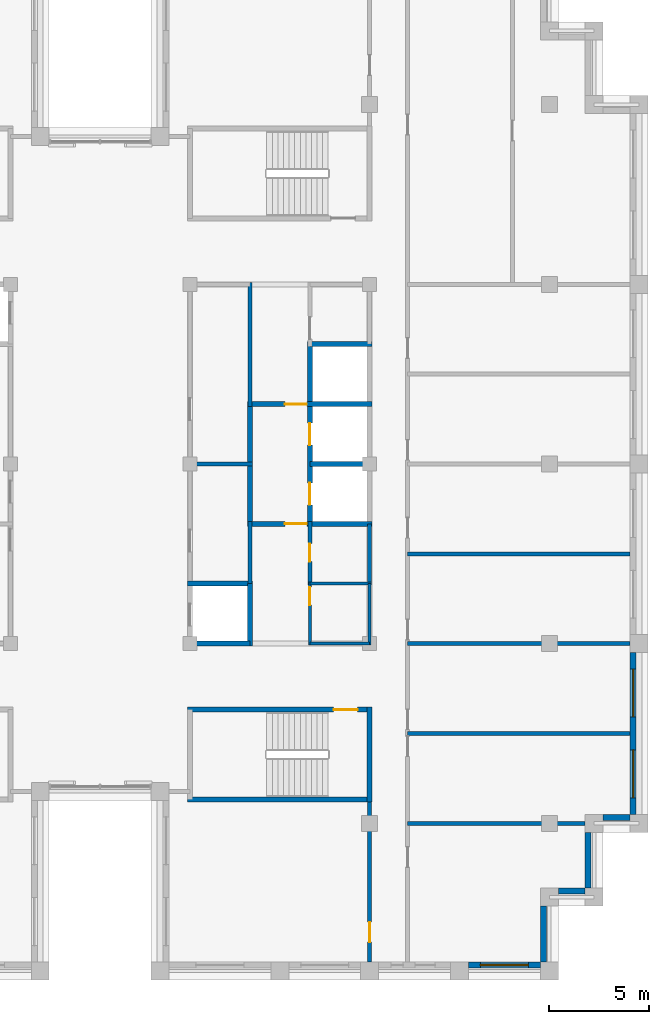
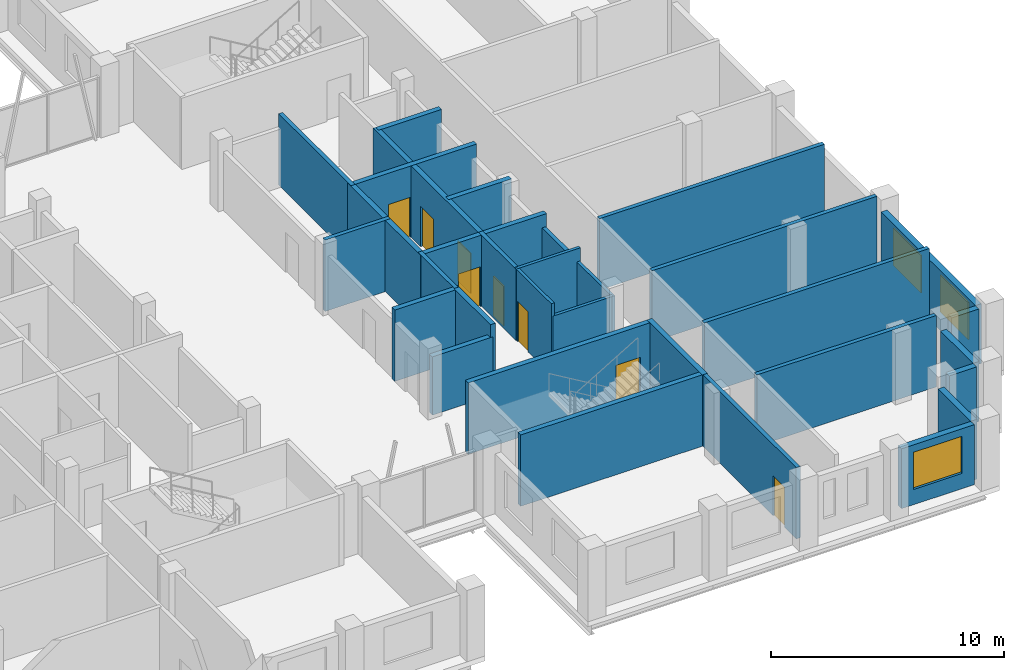
# One storey, part 8 of 13: 32 walls, 8 doors, 3 windows, 11 openings.
"""IFC4 building model written with IfcOpenShell, lengths in metres."""

import ifcopenshell
import ifcopenshell.guid

model = None  # the IFC model being written
_history = None  # IfcOwnerHistory: only IFC2X3 demands one
_inside = {}  # id of a spatial element -> (the spatial element, [elements in it])
_under = {}  # id of a project, library or spatial element -> (it, [spatial elements below it])
_declared = {}  # id of a project -> (the project, [libraries it declares])
_typed = {}  # id of a type object -> (the type object, [elements of that type])
_made_of = {}  # id of a material, layer set ... -> (it, [elements and type objects made of it])


def new_model(schema):
    """Start an empty IFC model of exactly this schema.

    Asked for "IFC4X3", IfcOpenShell would pick the latest addendum, in which some entities
    have other attributes; the version numbers below select the first issue.
    IFC2X3 requires an IfcOwnerHistory on every rooted entity: one is made here for all.
    """
    global model, _history
    if schema == "IFC4X3":
        model = ifcopenshell.file(schema_version=(4, 3, 0, 0))
    else:
        model = ifcopenshell.file(schema=schema)
    _inside.clear()
    _under.clear()
    _declared.clear()
    _typed.clear()
    _made_of.clear()
    _history = None
    if model.schema == "IFC2X3":
        org = make("IfcOrganization", Name="unknown")
        user = make(
            "IfcPersonAndOrganization",
            ThePerson=make("IfcPerson", FamilyName="unknown"),
            TheOrganization=org,
        )
        app = make(
            "IfcApplication",
            ApplicationDeveloper=org,
            Version="unknown",
            ApplicationFullName="unknown",
            ApplicationIdentifier="unknown",
        )
        _history = make(
            "IfcOwnerHistory",
            OwningUser=user,
            OwningApplication=app,
            ChangeAction="ADDED",
            CreationDate=0,
        )
    return model


def make(cls, **values):
    """One entity of the class cls with the attributes given. An attribute that is None is left unset."""
    return model.create_entity(
        cls, **{name: value for name, value in values.items() if value is not None}
    )


def rooted(cls, **values):
    """An entity with a GlobalId (a new one), such as an element, a storey or a relation."""
    return make(cls, GlobalId=ifcopenshell.guid.new(), OwnerHistory=_history, **values)


def si_unit(unit_type, name, prefix=None):
    """IfcSIUnit, for example si_unit("LENGTHUNIT", "METRE", prefix="MILLI")."""
    return make("IfcSIUnit", UnitType=unit_type, Prefix=prefix, Name=name)


def assignment(units):
    """IfcUnitAssignment: the units of a project."""
    return None if units is None else make("IfcUnitAssignment", Units=units)


def point(xyz):
    """IfcCartesianPoint."""
    return None if xyz is None else make("IfcCartesianPoint", Coordinates=xyz)


def direction(xyz):
    """IfcDirection."""
    return None if xyz is None else make("IfcDirection", DirectionRatios=xyz)


def frame(location, z_axis=None, x_axis=None):
    """IfcAxis2Placement3D, a coordinate frame: its origin and axes. An axis left out is left unset."""
    return make(
        "IfcAxis2Placement3D",
        Location=point(location),
        Axis=direction(z_axis),
        RefDirection=direction(x_axis),
    )


def frame_2d(location, x_axis=None):
    """IfcAxis2Placement2D, a coordinate frame in the plane: its origin and x axis."""
    return make(
        "IfcAxis2Placement2D", Location=point(location), RefDirection=direction(x_axis)
    )


def origin():
    """The frame at (0, 0, 0) with its axes left unset."""
    return frame((0.0, 0.0, 0.0))


def place(relative_to, where):
    """IfcLocalPlacement: puts the frame where relative to a parent placement (None: the world)."""
    return make(
        "IfcLocalPlacement", PlacementRelTo=relative_to, RelativePlacement=where
    )


def context(
    kind, dimensions, precision=None, world=None, true_north=None, identifier=None
):
    """IfcGeometricRepresentationContext, for example the 3D "Model" context."""
    return make(
        "IfcGeometricRepresentationContext",
        ContextIdentifier=identifier,
        ContextType=kind,
        CoordinateSpaceDimension=dimensions,
        Precision=precision,
        WorldCoordinateSystem=world,
        TrueNorth=true_north,
    )


def subcontext(parent, identifier, kind, view, scale=None):
    """IfcGeometricRepresentationSubContext, for example "Body" below "Model"."""
    return make(
        "IfcGeometricRepresentationSubContext",
        ContextIdentifier=identifier,
        ContextType=kind,
        ParentContext=parent,
        TargetScale=scale,
        TargetView=view,
    )


def project(units=None, contexts=None):
    """IfcProject with its units and contexts."""
    return rooted(
        "IfcProject",
        Name="project",
        RepresentationContexts=contexts,
        UnitsInContext=assignment(units),
    )


def spatial(cls, under=None, at=None, **own):
    """A site, building, storey or space (cls), placed at a placement, below another one or the project."""
    s = rooted(cls, ObjectPlacement=at, **own)
    if under is not None:
        _under.setdefault(under.id(), (under, []))[1].append(s)
    return s


def profile(cls, at=None, kind="AREA", **sizes):
    """A parametric profile (cls). Its sizes go by their IFC names, for example OverallWidth=200.0."""
    return make(cls, ProfileType=kind, Position=at, **sizes)


def rectangle(**sizes):
    """IfcRectangleProfileDef."""
    return profile("IfcRectangleProfileDef", **sizes)


def extrude(swept, where, along, depth):
    """IfcExtrudedAreaSolid: the profile swept, set in the frame where, extruded along a direction by depth."""
    return make(
        "IfcExtrudedAreaSolid",
        SweptArea=swept,
        Position=where,
        ExtrudedDirection=direction(along),
        Depth=depth,
    )


def shape(context_of_items, identifier, shape_type, items):
    """IfcShapeRepresentation: the items that make up one representation, for example the "Body"."""
    return make(
        "IfcShapeRepresentation",
        ContextOfItems=context_of_items,
        RepresentationIdentifier=identifier,
        RepresentationType=shape_type,
        Items=items,
    )


def material(Name=None, Category=None):
    """IfcMaterial."""
    return make("IfcMaterial", Name=Name, Category=Category)


def layer(
    of_material, thickness, ventilated=None, Name=None, Category=None, Priority=None
):
    """IfcMaterialLayer: one layer of a wall or slab, of a material (None: an air gap)."""
    return make(
        "IfcMaterialLayer",
        Material=of_material,
        LayerThickness=thickness,
        IsVentilated=ventilated,
        Name=Name,
        Category=Category,
        Priority=Priority,
    )


def layer_set(layers, Name=None):
    """IfcMaterialLayerSet."""
    return make("IfcMaterialLayerSet", MaterialLayers=layers, LayerSetName=Name)


def made_of(thing, what):
    """Note that an element or type object is made of a material, layer set ...; save() writes the relation."""
    if what is not None:
        _made_of.setdefault(what.id(), (what, []))[1].append(thing)
    return thing


def type_object(cls, material=None, **own):
    """A type object (cls), such as IfcWallType, which elements share."""
    return made_of(rooted(cls, **own), material)


def element(
    cls,
    number,
    at=None,
    inside=None,
    cuts=None,
    type_object=None,
    material=None,
    context=None,
    identifier="Body",
    shape_type=None,
    held_by="IfcProductDefinitionShape",
    body=None,
    shapes=None,
    **own,
):
    """One element of the class cls, such as IfcWall. Its Tag is "e" and its number.

    at: its placement. inside: the storey or other place that contains it. cuts: it is an
    opening in that element (IfcRelVoidsElement). A single representation is given by context,
    identifier, shape_type and body (its items); several are given by shapes. held_by: the class
    of the entity that holds the representations. save() writes the other relations.
    """
    e = rooted(cls, Tag="e%d" % number, ObjectPlacement=at, **own)
    if body is not None:
        shapes = [shape(context, identifier, shape_type, body)]
    if shapes is not None:
        e.Representation = make(held_by, Representations=shapes)
    if inside is not None:
        _inside.setdefault(inside.id(), (inside, []))[1].append(e)
    if cuts is not None:
        rooted(
            "IfcRelVoidsElement", RelatingBuildingElement=cuts, RelatedOpeningElement=e
        )
    if type_object is not None:
        _typed.setdefault(type_object.id(), (type_object, []))[1].append(e)
    return made_of(e, material)


def fill(opening, filler):
    """IfcRelFillsElement: the door or window that sits in an opening."""
    return rooted(
        "IfcRelFillsElement",
        RelatingOpeningElement=opening,
        RelatedBuildingElement=filler,
    )


def aggregate(whole, parts):
    """IfcRelAggregates: a whole, such as a stair, and the parts it consists of."""
    return rooted("IfcRelAggregates", RelatingObject=whole, RelatedObjects=parts)


def save(model, path):
    """Write the relations noted so far, then the file.

    IfcRelAggregates (storeys below a building ...), IfcRelContainedInSpatialStructure (elements
    in a storey), IfcRelDefinesByType, IfcRelAssociatesMaterial and IfcRelDeclares: one each for
    every whole, place, type object, material and project.
    """
    for whole, parts in _under.values():
        aggregate(whole, parts)
    for where, things in _inside.values():
        rooted(
            "IfcRelContainedInSpatialStructure",
            RelatedElements=things,
            RelatingStructure=where,
        )
    for kind, things in _typed.values():
        rooted("IfcRelDefinesByType", RelatedObjects=things, RelatingType=kind)
    for what, things in _made_of.values():
        rooted("IfcRelAssociatesMaterial", RelatedObjects=things, RelatingMaterial=what)
    for by, libraries in _declared.values():
        rooted("IfcRelDeclares", RelatingContext=by, RelatedDefinitions=libraries)
    model.write(path)


model = new_model("IFC4")

# Units and contexts
model_context = context("Model", 3, precision=1e-05, world=origin(), true_north=direction((0.0, 1.0)))
body_context = subcontext(model_context, "Body", "Model", "MODEL_VIEW")
ifc_project = project(units=[si_unit("LENGTHUNIT", "METRE"), si_unit("AREAUNIT", "SQUARE_METRE"), si_unit("VOLUMEUNIT", "CUBIC_METRE"), si_unit("PLANEANGLEUNIT", "RADIAN"), si_unit("MASSUNIT", "GRAM", prefix="KILO")], contexts=[model_context])

# Site, building, storey
site_placement = place(None, origin())
site = spatial("IfcSite", under=ifc_project, at=site_placement, CompositionType="ELEMENT")
building_placement = place(site_placement, origin())
building = spatial("IfcBuilding", under=site, at=building_placement, Name="Corbelhall Arena Tower", CompositionType="ELEMENT")
storey_placement = place(building_placement, frame((0.0, 0.0, 342.0)))
storey = spatial("IfcBuildingStorey", under=building, at=storey_placement, Name="L75", CompositionType="ELEMENT", Elevation=342.0)

# Wall, opening, window
ifc_material_1 = material(Name="Precast concrete C40/50 with granite facing", Category="masonry")
ifc_layer_1 = layer(ifc_material_1, 0.300048828125)
ifc_layer_set_1 = layer_set([ifc_layer_1], Name="EV-IW1 Infill panel 300")
wall_type_1 = type_object("IfcWallType", Name="EV-IW1 Infill panel 300", PredefinedType="SOLIDWALL", material=ifc_layer_set_1)
wall_1_placement = place(storey_placement, frame((18.449951171875, -25.10009765625, 0.0), z_axis=(0.0, 0.0, 1.0), x_axis=(1.0, 0.0, 0.0)))
wall_1 = element("IfcWall", 1, at=wall_1_placement, inside=storey, type_object=wall_type_1, Name="Infill panel IW1", PredefinedType="SOLIDWALL", context=body_context, shape_type="SweptSolid", body=[
    extrude(rectangle(XDim=3.60009765625, YDim=0.300048828125, at=frame_2d((1.800048828125, 0.0))), origin(), (0.0, 0.0, 1.0), 3.139892578125),
])
opening_1_placement = place(wall_1_placement, frame((0.60009765625, 0.0, 0.800048828125)))
opening_1 = element("IfcOpeningElement", 2, at=opening_1_placement, cuts=wall_1, Name="Opening WN1", PredefinedType="OPENING", context=body_context, shape_type="SweptSolid", body=[
    extrude(rectangle(XDim=2.39990234375, YDim=1.949951171875, at=frame_2d((1.199951171875, 0.97509765625))), frame((0.0, 0.14990234375, 0.0), z_axis=(0.0, -1.0, 0.0), x_axis=(1.0, 0.0, 0.0)), (0.0, 0.0, 1.0), 0.300048828125),
])
ifc_material_2 = material(Name="Aluminium black anodised", Category="aluminium")
window_type = type_object("IfcWindowType", Name="EV-WN1 Office window", PartitioningType="SINGLE_PANEL", PredefinedType="WINDOW", material=ifc_material_2)
window_1_placement = place(opening_1_placement, origin())
window_1 = element("IfcWindow", 3, at=window_1_placement, inside=storey, type_object=window_type, Name="Window WN1", OverallHeight=1.949951171875, OverallWidth=2.39990234375, PartitioningType="SINGLE_PANEL", PredefinedType="WINDOW", context=body_context, shape_type="SweptSolid", body=[
    extrude(rectangle(XDim=2.39990234375, YDim=1.949951171875, at=frame_2d((1.199951171875, 0.97509765625))), frame((0.0, 0.030029296875, 0.0), z_axis=(0.0, -1.0, 0.0), x_axis=(1.0, 0.0, 0.0)), (0.0, 0.0, 1.0), 0.06005859375),
])
fill(opening_1, window_1)

# Walls
wall_2_placement = place(storey_placement, frame((22.199951171875, -24.949951171875, 0.0), z_axis=(0.0, 0.0, 1.0), x_axis=(0.0, 1.0, 0.0)))
element("IfcWall", 4, at=wall_2_placement, inside=storey, type_object=wall_type_1, Name="Infill panel IW1", PredefinedType="SOLIDWALL", context=body_context, shape_type="SweptSolid", body=[
    extrude(rectangle(XDim=2.800048828125, YDim=0.300048828125, at=frame_2d((1.39990234375, 0.0))), origin(), (0.0, 0.0, 1.0), 3.139892578125),
])
wall_3_placement = place(storey_placement, frame((22.949951171875, -21.39990234375, 0.0), z_axis=(0.0, 0.0, 1.0), x_axis=(1.0, 0.0, 0.0)))
element("IfcWall", 5, at=wall_3_placement, inside=storey, type_object=wall_type_1, Name="Infill panel IW1", PredefinedType="SOLIDWALL", context=body_context, shape_type="SweptSolid", body=[
    extrude(rectangle(XDim=1.35009765625, YDim=0.300048828125, at=frame_2d((0.675048828125, 0.0))), origin(), (0.0, 0.0, 1.0), 3.139892578125),
])
wall_4_placement = place(storey_placement, frame((24.449951171875, -21.25, 0.0), z_axis=(0.0, 0.0, 1.0), x_axis=(0.0, 1.0, 0.0)))
element("IfcWall", 6, at=wall_4_placement, inside=storey, type_object=wall_type_1, Name="Infill panel IW1", PredefinedType="SOLIDWALL", context=body_context, shape_type="SweptSolid", body=[
    extrude(rectangle(XDim=2.800048828125, YDim=0.300048828125, at=frame_2d((1.39990234375, 0.0))), origin(), (0.0, 0.0, 1.0), 3.139892578125),
])
wall_5_placement = place(storey_placement, frame((25.199951171875, -17.699951171875, 0.0), z_axis=(0.0, 0.0, 1.0), x_axis=(1.0, 0.0, 0.0)))
element("IfcWall", 7, at=wall_5_placement, inside=storey, type_object=wall_type_1, Name="Infill panel IW1", PredefinedType="SOLIDWALL", context=body_context, shape_type="SweptSolid", body=[
    extrude(rectangle(XDim=1.35009765625, YDim=0.300048828125, at=frame_2d((0.675048828125, 0.0))), origin(), (0.0, 0.0, 1.0), 3.139892578125),
])

# Wall, openings, windows
wall_6_placement = place(storey_placement, frame((26.699951171875, -17.550048828125, 0.0), z_axis=(0.0, 0.0, 1.0), x_axis=(0.0, 1.0, 0.0)))
wall_6 = element("IfcWall", 8, at=wall_6_placement, inside=storey, type_object=wall_type_1, Name="Infill panel IW1", PredefinedType="SOLIDWALL", context=body_context, shape_type="SweptSolid", body=[
    extrude(rectangle(XDim=8.10009765625, YDim=0.300048828125, at=frame_2d((4.050048828125, 0.0))), origin(), (0.0, 0.0, 1.0), 3.139892578125),
])
opening_2_placement = place(wall_6_placement, frame((0.824951171875, 0.0, 0.800048828125)))
opening_2 = element("IfcOpeningElement", 9, at=opening_2_placement, cuts=wall_6, Name="Opening WN1", PredefinedType="OPENING", context=body_context, shape_type="SweptSolid", body=[
    extrude(rectangle(XDim=2.39990234375, YDim=1.949951171875, at=frame_2d((1.199951171875, 0.97509765625))), frame((0.0, 0.14990234375, 0.0), z_axis=(0.0, -1.0, 0.0), x_axis=(1.0, 0.0, 0.0)), (0.0, 0.0, 1.0), 0.300048828125),
])
opening_3_placement = place(wall_6_placement, frame((4.875, 0.0, 0.800048828125)))
opening_3 = element("IfcOpeningElement", 10, at=opening_3_placement, cuts=wall_6, Name="Opening WN1", PredefinedType="OPENING", context=body_context, shape_type="SweptSolid", body=[
    extrude(rectangle(XDim=2.39990234375, YDim=1.949951171875, at=frame_2d((1.199951171875, 0.97509765625))), frame((0.0, 0.14990234375, 0.0), z_axis=(0.0, -1.0, 0.0), x_axis=(1.0, 0.0, 0.0)), (0.0, 0.0, 1.0), 0.300048828125),
])
window_2_placement = place(opening_2_placement, origin())
window_2 = element("IfcWindow", 11, at=window_2_placement, inside=storey, type_object=window_type, Name="Window WN1", OverallHeight=1.949951171875, OverallWidth=2.39990234375, PartitioningType="SINGLE_PANEL", PredefinedType="WINDOW", context=body_context, shape_type="SweptSolid", body=[
    extrude(rectangle(XDim=2.39990234375, YDim=1.949951171875, at=frame_2d((1.199951171875, 0.97509765625))), frame((0.0, 0.030029296875, 0.0), z_axis=(0.0, -1.0, 0.0), x_axis=(1.0, 0.0, 0.0)), (0.0, 0.0, 1.0), 0.06005859375),
])
fill(opening_2, window_2)
window_3_placement = place(opening_3_placement, origin())
window_3 = element("IfcWindow", 12, at=window_3_placement, inside=storey, type_object=window_type, Name="Window WN1", OverallHeight=1.949951171875, OverallWidth=2.39990234375, PartitioningType="SINGLE_PANEL", PredefinedType="WINDOW", context=body_context, shape_type="SweptSolid", body=[
    extrude(rectangle(XDim=2.39990234375, YDim=1.949951171875, at=frame_2d((1.199951171875, 0.97509765625))), frame((0.0, 0.030029296875, 0.0), z_axis=(0.0, -1.0, 0.0), x_axis=(1.0, 0.0, 0.0)), (0.0, 0.0, 1.0), 0.06005859375),
])
fill(opening_3, window_3)

# Wall, opening, door
ifc_material_3 = material(Name="Gypsum board on steel stud, acoustic", Category="steel")
ifc_layer_2 = layer(ifc_material_3, 0.199951171875)
ifc_layer_set_2 = layer_set([ifc_layer_2], Name="IN-W-DM200")
wall_type_2 = type_object("IfcWallType", Name="IN-W-DM200", PredefinedType="PARTITIONING", material=ifc_layer_set_2)
wall_7_placement = place(storey_placement, frame((13.5, -24.949951171875, 0.0), z_axis=(0.0, 0.0, 1.0), x_axis=(0.0, 1.0, 0.0)))
wall_7 = element("IfcWall", 13, at=wall_7_placement, inside=storey, type_object=wall_type_2, Name="Partition 020", PredefinedType="PARTITIONING", context=body_context, shape_type="SweptSolid", body=[
    extrude(rectangle(XDim=8.27490234375, YDim=0.199951171875, at=frame_2d((4.137451171875, 0.0))), origin(), (0.0, 0.0, 1.0), 3.739990234375),
])
opening_4_placement = place(wall_7_placement, frame((1.0, 0.0, 0.0)))
opening_4 = element("IfcOpeningElement", 14, at=opening_4_placement, cuts=wall_7, Name="Opening 24021", PredefinedType="OPENING", context=body_context, shape_type="SweptSolid", body=[
    extrude(rectangle(XDim=1.0, YDim=2.10009765625, at=frame_2d((0.5, 1.050048828125))), frame((0.0, 0.10009765625, 0.0), z_axis=(0.0, -1.0, 0.0), x_axis=(1.0, 0.0, 0.0)), (0.0, 0.0, 1.0), 0.199951171875),
])
ifc_material_4 = material(Name="Steel door set", Category="steel")
door_type_1 = type_object("IfcDoorType", Name="IN-D-SW100", OperationType="NOTDEFINED", PredefinedType="DOOR", material=ifc_material_4)
door_1_placement = place(opening_4_placement, origin())
door_1 = element("IfcDoor", 15, at=door_1_placement, inside=storey, type_object=door_type_1, Name="Door 021", OperationType="SINGLE_SWING_RIGHT", OverallHeight=2.10009765625, OverallWidth=1.0, PredefinedType="DOOR", context=body_context, shape_type="SweptSolid", body=[
    extrude(rectangle(XDim=1.0, YDim=2.10009765625, at=frame_2d((0.5, 1.050048828125))), frame((0.0, 0.02490234375, 0.0), z_axis=(0.0, -1.0, 0.0), x_axis=(1.0, 0.0, 0.0)), (0.0, 0.0, 1.0), 0.050048828125),
])
fill(opening_4, door_1)

# Walls
wall_8_placement = place(storey_placement, frame((15.39990234375, -18.0, 0.0), z_axis=(0.0, 0.0, 1.0), x_axis=(1.0, 0.0, 0.0)))
element("IfcWall", 16, at=wall_8_placement, inside=storey, type_object=wall_type_2, Name="Partition 022", PredefinedType="PARTITIONING", context=body_context, shape_type="SweptSolid", body=[
    extrude(rectangle(XDim=8.900146484375, YDim=0.199951171875, at=frame_2d((4.4501953125, 0.0))), origin(), (0.0, 0.0, 1.0), 3.739990234375),
])
for number, where, z_axis, x_axis, name in (
    (17, (15.39990234375, -13.5, 0.0), (0.0, 0.0, 1.0), (1.0, 0.0, 0.0), "Partition 024"),
    (18, (15.39990234375, -9.0, 0.0), (0.0, 0.0, 1.0), (1.0, 0.0, 0.0), "Partition 025"),
    (19, (15.39990234375, -4.5, 0.0), (0.0, 0.0, 1.0), (1.0, 0.0, 0.0), "Partition 026"),
):
    element("IfcWall", number, at=place(storey_placement, frame(where, z_axis=z_axis, x_axis=x_axis)), inside=storey, type_object=wall_type_2, Name=name, PredefinedType="PARTITIONING", context=body_context, shape_type="SweptSolid", body=[
        extrude(rectangle(XDim=11.150146484375, YDim=0.199951171875, at=frame_2d((5.5751953125, 0.0))), origin(), (0.0, 0.0, 1.0), 3.739990234375),
    ])
ifc_material_5 = material(Name="Concrete block wall", Category="concrete")
ifc_layer_3 = layer(ifc_material_5, 0.199951171875)
ifc_layer_set_3 = layer_set([ifc_layer_3], Name="IN-W-RS200")
wall_type_3 = type_object("IfcWallType", Name="IN-W-RS200", PredefinedType="SOLIDWALL", material=ifc_layer_set_3)
wall_9_placement = place(storey_placement, frame((4.39990234375, 0.0, 0.0), z_axis=(0.0, 0.0, 1.0), x_axis=(1.0, 0.0, 0.0)))
element("IfcWall", 20, at=wall_9_placement, inside=storey, type_object=wall_type_3, Name="Partition 038", PredefinedType="SOLIDWALL", context=body_context, shape_type="SweptSolid", body=[
    extrude(rectangle(XDim=3.22509765625, YDim=0.199951171875, at=frame_2d((1.612548828125, 0.0))), origin(), (0.0, 0.0, 1.0), 3.739990234375),
])
wall_10_placement = place(storey_placement, frame((7.5, -2.875, 0.0), z_axis=(0.0, 0.0, 1.0), x_axis=(0.0, -1.0, 0.0)))
element("IfcWall", 21, at=wall_10_placement, inside=storey, type_object=wall_type_3, Name="Partition 041", PredefinedType="SOLIDWALL", context=body_context, shape_type="SweptSolid", body=[
    extrude(rectangle(XDim=3.125, YDim=0.199951171875, at=frame_2d((1.5625, 0.0))), origin(), (0.0, 0.0, 1.0), 3.739990234375),
])
wall_11_placement = place(storey_placement, frame((7.5, 9.10009765625, 0.0), z_axis=(0.0, 0.0, 1.0), x_axis=(0.0, -1.0, 0.0)))
element("IfcWall", 22, at=wall_11_placement, inside=storey, type_object=wall_type_3, Name="Partition 042", PredefinedType="SOLIDWALL", context=body_context, shape_type="SweptSolid", body=[
    extrude(rectangle(XDim=6.22509765625, YDim=0.199951171875, at=frame_2d((3.112548828125, 0.0))), origin(), (0.0, 0.0, 1.0), 3.739990234375),
])

# Wall, opening, door
wall_12_placement = place(storey_placement, frame((10.5, -2.875, 0.0), z_axis=(0.0, 0.0, 1.0), x_axis=(0.0, -1.0, 0.0)))
wall_12 = element("IfcWall", 23, at=wall_12_placement, inside=storey, type_object=wall_type_3, Name="Partition 043", PredefinedType="SOLIDWALL", context=body_context, shape_type="SweptSolid", body=[
    extrude(rectangle(XDim=3.199951171875, YDim=0.199951171875, at=frame_2d((1.60009765625, 0.0))), origin(), (0.0, 0.0, 1.0), 3.739990234375),
])
opening_5_placement = place(wall_12_placement, frame((1.1201171875, 0.0, 0.0)))
opening_5 = element("IfcOpeningElement", 24, at=opening_5_placement, cuts=wall_12, Name="Opening 24039", PredefinedType="OPENING", context=body_context, shape_type="SweptSolid", body=[
    extrude(rectangle(XDim=0.89990234375, YDim=2.10009765625, at=frame_2d((0.449951171875, 1.050048828125))), frame((0.0, 0.10009765625, 0.0), z_axis=(0.0, -1.0, 0.0), x_axis=(1.0, 0.0, 0.0)), (0.0, 0.0, 1.0), 0.199951171875),
])
ifc_material_6 = material(Name="Timber door set", Category="wood")
door_type_2 = type_object("IfcDoorType", Name="IN-D-SW90", OperationType="NOTDEFINED", PredefinedType="DOOR", material=ifc_material_6)
door_2_placement = place(opening_5_placement, origin())
door_2 = element("IfcDoor", 25, at=door_2_placement, inside=storey, type_object=door_type_2, Name="Door 039", OperationType="SINGLE_SWING_LEFT", OverallHeight=2.10009765625, OverallWidth=0.89990234375, PredefinedType="DOOR", context=body_context, shape_type="SweptSolid", body=[
    extrude(rectangle(XDim=0.89990234375, YDim=2.10009765625, at=frame_2d((0.449951171875, 1.050048828125))), frame((0.0, 0.02490234375, 0.0), z_axis=(0.0, -1.0, 0.0), x_axis=(1.0, 0.0, 0.0)), (0.0, 0.0, 1.0), 0.050048828125),
])
fill(opening_5, door_2)

# Walls
ifc_layer_4 = layer(ifc_material_5, 0.199951171875)
ifc_layer_set_4 = layer_set([ifc_layer_4], Name="IN-W-RS200 under beam 678 mm")
wall_type_4 = type_object("IfcWallType", Name="IN-W-RS200 under beam 678 mm", PredefinedType="SOLIDWALL", material=ifc_layer_set_4)
wall_13_placement = place(storey_placement, frame((13.5, -3.0, 0.0), z_axis=(0.0, 0.0, 1.0), x_axis=(0.0, -1.0, 0.0)))
element("IfcWall", 26, at=wall_13_placement, inside=storey, type_object=wall_type_4, Name="Partition 046", PredefinedType="SOLIDWALL", context=body_context, shape_type="SweptSolid", body=[
    extrude(rectangle(XDim=3.0, YDim=0.199951171875, at=frame_2d((1.5, 0.0))), origin(), (0.0, 0.0, 1.0), 3.061767578125),
])
ifc_material_7 = material(Name="Concrete C40/50", Category="concrete")
ifc_layer_5 = layer(ifc_material_7, 0.25)
ifc_layer_set_5 = layer_set([ifc_layer_5], Name="IN-W-SH250")
wall_type_5 = type_object("IfcWallType", Name="IN-W-SH250", PredefinedType="SOLIDWALL", material=ifc_layer_set_5)
wall_14_placement = place(storey_placement, frame((4.375, -6.0, 0.0), z_axis=(0.0, 0.0, 1.0), x_axis=(1.0, 0.0, 0.0)))
element("IfcWall", 27, at=wall_14_placement, inside=storey, type_object=wall_type_5, Name="Shaft wall 058", PredefinedType="SOLIDWALL", context=body_context, shape_type="SweptSolid", body=[
    extrude(rectangle(XDim=3.25, YDim=0.25, at=frame_2d((1.625, 0.0))), origin(), (0.0, 0.0, 1.0), 3.739990234375),
])
wall_15_placement = place(storey_placement, frame((7.5, -6.0, 0.0), z_axis=(0.0, 0.0, 1.0), x_axis=(0.0, -1.0, 0.0)))
element("IfcWall", 28, at=wall_15_placement, inside=storey, type_object=wall_type_5, Name="Shaft wall 061", PredefinedType="SOLIDWALL", context=body_context, shape_type="SweptSolid", body=[
    extrude(rectangle(XDim=3.125, YDim=0.25, at=frame_2d((1.5625, 0.0))), origin(), (0.0, 0.0, 1.0), 3.739990234375),
])

# Wall, opening, door
wall_16_placement = place(storey_placement, frame((7.5, -3.0, 0.0), z_axis=(0.0, 0.0, 1.0), x_axis=(1.0, 0.0, 0.0)))
wall_16 = element("IfcWall", 29, at=wall_16_placement, inside=storey, type_object=wall_type_5, Name="Shaft wall 062", PredefinedType="SOLIDWALL", context=body_context, shape_type="SweptSolid", body=[
    extrude(rectangle(XDim=6.125, YDim=0.25, at=frame_2d((3.0625, 0.0))), origin(), (0.0, 0.0, 1.0), 3.739990234375),
])
opening_6_placement = place(wall_16_placement, frame((1.75, 0.0, 0.0)))
opening_6 = element("IfcOpeningElement", 30, at=opening_6_placement, cuts=wall_16, Name="Opening 24010", PredefinedType="OPENING", context=body_context, shape_type="SweptSolid", body=[
    extrude(rectangle(XDim=1.10009765625, YDim=2.10009765625, at=frame_2d((0.550048828125, 1.050048828125))), frame((0.0, 0.125, 0.0), z_axis=(0.0, -1.0, 0.0), x_axis=(1.0, 0.0, 0.0)), (0.0, 0.0, 1.0), 0.25),
])
door_type_3 = type_object("IfcDoorType", Name="IN-D-FD110", OperationType="NOTDEFINED", PredefinedType="DOOR", material=ifc_material_4)
door_3_placement = place(opening_6_placement, origin())
door_3 = element("IfcDoor", 31, at=door_3_placement, inside=storey, type_object=door_type_3, Name="Door 010", OperationType="SINGLE_SWING_LEFT", OverallHeight=2.10009765625, OverallWidth=1.10009765625, PredefinedType="DOOR", context=body_context, shape_type="SweptSolid", body=[
    extrude(rectangle(XDim=1.10009765625, YDim=2.10009765625, at=frame_2d((0.550048828125, 1.050048828125))), frame((0.0, 0.02490234375, 0.0), z_axis=(0.0, -1.0, 0.0), x_axis=(1.0, 0.0, 0.0)), (0.0, 0.0, 1.0), 0.050048828125),
])
fill(opening_6, door_3)

# Wall
wall_17_placement = place(storey_placement, frame((7.5, 3.125, 0.0), z_axis=(0.0, 0.0, 1.0), x_axis=(0.0, -1.0, 0.0)))
element("IfcWall", 32, at=wall_17_placement, inside=storey, type_object=wall_type_5, Name="Shaft wall 063", PredefinedType="SOLIDWALL", context=body_context, shape_type="SweptSolid", body=[
    extrude(rectangle(XDim=6.25, YDim=0.25, at=frame_2d((3.125, 0.0))), origin(), (0.0, 0.0, 1.0), 3.739990234375),
])

# Wall, opening, door
wall_18_placement = place(storey_placement, frame((7.5, 3.0, 0.0), z_axis=(0.0, 0.0, 1.0), x_axis=(1.0, 0.0, 0.0)))
wall_18 = element("IfcWall", 33, at=wall_18_placement, inside=storey, type_object=wall_type_5, Name="Shaft wall 064", PredefinedType="SOLIDWALL", context=body_context, shape_type="SweptSolid", body=[
    extrude(rectangle(XDim=6.125, YDim=0.25, at=frame_2d((3.0625, 0.0))), origin(), (0.0, 0.0, 1.0), 3.739990234375),
])
opening_7_placement = place(wall_18_placement, frame((1.75, 0.0, 0.0)))
opening_7 = element("IfcOpeningElement", 34, at=opening_7_placement, cuts=wall_18, Name="Opening 24011", PredefinedType="OPENING", context=body_context, shape_type="SweptSolid", body=[
    extrude(rectangle(XDim=1.10009765625, YDim=2.10009765625, at=frame_2d((0.550048828125, 1.050048828125))), frame((0.0, 0.125, 0.0), z_axis=(0.0, -1.0, 0.0), x_axis=(1.0, 0.0, 0.0)), (0.0, 0.0, 1.0), 0.25),
])
door_4_placement = place(opening_7_placement, origin())
door_4 = element("IfcDoor", 35, at=door_4_placement, inside=storey, type_object=door_type_3, Name="Door 011", OperationType="SINGLE_SWING_RIGHT", OverallHeight=2.10009765625, OverallWidth=1.10009765625, PredefinedType="DOOR", context=body_context, shape_type="SweptSolid", body=[
    extrude(rectangle(XDim=1.10009765625, YDim=2.10009765625, at=frame_2d((0.550048828125, 1.050048828125))), frame((0.0, 0.02490234375, 0.0), z_axis=(0.0, -1.0, 0.0), x_axis=(1.0, 0.0, 0.0)), (0.0, 0.0, 1.0), 0.050048828125),
])
fill(opening_7, door_4)

# Wall
wall_19_placement = place(storey_placement, frame((10.5, 0.0, 0.0), z_axis=(0.0, 0.0, 1.0), x_axis=(1.0, 0.0, 0.0)))
element("IfcWall", 36, at=wall_19_placement, inside=storey, type_object=wall_type_5, Name="Shaft wall 065", PredefinedType="SOLIDWALL", context=body_context, shape_type="SweptSolid", body=[
    extrude(rectangle(XDim=3.125, YDim=0.25, at=frame_2d((1.5625, 0.0))), origin(), (0.0, 0.0, 1.0), 3.739990234375),
])

# Wall, openings, doors
wall_20_placement = place(storey_placement, frame((10.5, 6.125, 0.0), z_axis=(0.0, 0.0, 1.0), x_axis=(0.0, -1.0, 0.0)))
wall_20 = element("IfcWall", 37, at=wall_20_placement, inside=storey, type_object=wall_type_5, Name="Shaft wall 066", PredefinedType="SOLIDWALL", context=body_context, shape_type="SweptSolid", body=[
    extrude(rectangle(XDim=9.25, YDim=0.25, at=frame_2d((4.625, 0.0))), origin(), (0.0, 0.0, 1.0), 3.739990234375),
])
opening_8_placement = place(wall_20_placement, frame((7.074951171875, 0.0, 0.0)))
opening_8 = element("IfcOpeningElement", 38, at=opening_8_placement, cuts=wall_20, Name="Opening LD", PredefinedType="OPENING", context=body_context, shape_type="SweptSolid", body=[
    extrude(rectangle(XDim=1.10009765625, YDim=2.10009765625, at=frame_2d((0.550048828125, 1.050048828125))), frame((0.0, 0.125, 0.0), z_axis=(0.0, -1.0, 0.0), x_axis=(1.0, 0.0, 0.0)), (0.0, 0.0, 1.0), 0.25),
])
opening_9_placement = place(wall_20_placement, frame((4.074951171875, 0.0, 0.0)))
opening_9 = element("IfcOpeningElement", 39, at=opening_9_placement, cuts=wall_20, Name="Opening LD", PredefinedType="OPENING", context=body_context, shape_type="SweptSolid", body=[
    extrude(rectangle(XDim=1.10009765625, YDim=2.10009765625, at=frame_2d((0.550048828125, 1.050048828125))), frame((0.0, 0.125, 0.0), z_axis=(0.0, -1.0, 0.0), x_axis=(1.0, 0.0, 0.0)), (0.0, 0.0, 1.0), 0.25),
])
door_type_4 = type_object("IfcDoorType", Name="IN-D-LD110", OperationType="NOTDEFINED", PredefinedType="DOOR", material=ifc_material_4)
door_5_placement = place(opening_8_placement, origin())
door_5 = element("IfcDoor", 40, at=door_5_placement, inside=storey, type_object=door_type_4, Name="Landing door E3", OperationType="SLIDING_TO_LEFT", OverallHeight=2.10009765625, OverallWidth=1.10009765625, PredefinedType="DOOR", context=body_context, shape_type="SweptSolid", body=[
    extrude(rectangle(XDim=1.10009765625, YDim=2.10009765625, at=frame_2d((0.550048828125, 1.050048828125))), frame((0.0, 0.02490234375, 0.0), z_axis=(0.0, -1.0, 0.0), x_axis=(1.0, 0.0, 0.0)), (0.0, 0.0, 1.0), 0.050048828125),
])
fill(opening_8, door_5)
door_6_placement = place(opening_9_placement, origin())
door_6 = element("IfcDoor", 41, at=door_6_placement, inside=storey, type_object=door_type_4, Name="Landing door E4", OperationType="SLIDING_TO_LEFT", OverallHeight=2.10009765625, OverallWidth=1.10009765625, PredefinedType="DOOR", context=body_context, shape_type="SweptSolid", body=[
    extrude(rectangle(XDim=1.10009765625, YDim=2.10009765625, at=frame_2d((0.550048828125, 1.050048828125))), frame((0.0, 0.02490234375, 0.0), z_axis=(0.0, -1.0, 0.0), x_axis=(1.0, 0.0, 0.0)), (0.0, 0.0, 1.0), 0.050048828125),
])
fill(opening_9, door_6)

# Walls
wall_21_placement = place(storey_placement, frame((10.5, 6.0, 0.0), z_axis=(0.0, 0.0, 1.0), x_axis=(1.0, 0.0, 0.0)))
element("IfcWall", 42, at=wall_21_placement, inside=storey, type_object=wall_type_5, Name="Shaft wall 067", PredefinedType="SOLIDWALL", context=body_context, shape_type="SweptSolid", body=[
    extrude(rectangle(XDim=3.125, YDim=0.25, at=frame_2d((1.5625, 0.0))), origin(), (0.0, 0.0, 1.0), 3.739990234375),
])
ifc_layer_6 = layer(ifc_material_7, 0.25)
ifc_layer_set_6 = layer_set([ifc_layer_6], Name="IN-W-SH250 under beam 678 mm")
wall_type_6 = type_object("IfcWallType", Name="IN-W-SH250 under beam 678 mm", PredefinedType="SOLIDWALL", material=ifc_layer_set_6)
wall_22_placement = place(storey_placement, frame((7.5, -9.0, 0.0), z_axis=(0.0, 0.0, 1.0), x_axis=(-1.0, 0.0, 0.0)))
element("IfcWall", 43, at=wall_22_placement, inside=storey, type_object=wall_type_6, Name="Shaft wall 060", PredefinedType="SOLIDWALL", context=body_context, shape_type="SweptSolid", body=[
    extrude(rectangle(XDim=3.0, YDim=0.25, at=frame_2d((1.5, 0.0))), origin(), (0.0, 0.0, 1.0), 3.061767578125),
])
ifc_layer_7 = layer(ifc_material_7, 0.25)
ifc_layer_set_7 = layer_set([ifc_layer_7], Name="IN-W-ST250")
wall_type_7 = type_object("IfcWallType", Name="IN-W-ST250", PredefinedType="SOLIDWALL", material=ifc_layer_set_7)
wall_23_placement = place(storey_placement, frame((13.5, -16.925048828125, 0.0), z_axis=(0.0, 0.0, 1.0), x_axis=(0.0, 1.0, 0.0)))
element("IfcWall", 44, at=wall_23_placement, inside=storey, type_object=wall_type_7, Name="Shaft wall 081", PredefinedType="SOLIDWALL", context=body_context, shape_type="SweptSolid", body=[
    extrude(rectangle(XDim=4.75, YDim=0.25, at=frame_2d((2.375, 0.0))), origin(), (0.0, 0.0, 1.0), 3.739990234375),
])
wall_24_placement = place(storey_placement, frame((13.5, -16.800048828125, 0.0), z_axis=(0.0, 0.0, 1.0), x_axis=(-1.0, 0.0, 0.0)))
element("IfcWall", 45, at=wall_24_placement, inside=storey, type_object=wall_type_7, Name="Shaft wall 082", PredefinedType="SOLIDWALL", context=body_context, shape_type="SweptSolid", body=[
    extrude(rectangle(XDim=9.125, YDim=0.25, at=frame_2d((4.5625, 0.0))), origin(), (0.0, 0.0, 1.0), 3.739990234375),
])

# Wall, opening, door
wall_25_placement = place(storey_placement, frame((13.5, -12.300048828125, 0.0), z_axis=(0.0, 0.0, 1.0), x_axis=(-1.0, 0.0, 0.0)))
wall_25 = element("IfcWall", 46, at=wall_25_placement, inside=storey, type_object=wall_type_7, Name="Shaft wall 083", PredefinedType="SOLIDWALL", context=body_context, shape_type="SweptSolid", body=[
    extrude(rectangle(XDim=9.125, YDim=0.25, at=frame_2d((4.5625, 0.0))), origin(), (0.0, 0.0, 1.0), 3.739990234375),
])
opening_10_placement = place(wall_25_placement, frame((0.60009765625, 0.0, 0.0)))
opening_10 = element("IfcOpeningElement", 47, at=opening_10_placement, cuts=wall_25, Name="Opening 24017", PredefinedType="OPENING", context=body_context, shape_type="SweptSolid", body=[
    extrude(rectangle(XDim=1.199951171875, YDim=2.10009765625, at=frame_2d((0.60009765625, 1.050048828125))), frame((0.0, 0.125, 0.0), z_axis=(0.0, -1.0, 0.0), x_axis=(1.0, 0.0, 0.0)), (0.0, 0.0, 1.0), 0.25),
])
door_type_5 = type_object("IfcDoorType", Name="IN-D-ST120", OperationType="NOTDEFINED", PredefinedType="DOOR", material=ifc_material_4)
door_7_placement = place(opening_10_placement, origin())
door_7 = element("IfcDoor", 48, at=door_7_placement, inside=storey, type_object=door_type_5, Name="Door 017", OperationType="SINGLE_SWING_RIGHT", OverallHeight=2.10009765625, OverallWidth=1.199951171875, PredefinedType="DOOR", context=body_context, shape_type="SweptSolid", body=[
    extrude(rectangle(XDim=1.199951171875, YDim=2.10009765625, at=frame_2d((0.60009765625, 1.050048828125))), frame((0.0, 0.02490234375, 0.0), z_axis=(0.0, -1.0, 0.0), x_axis=(1.0, 0.0, 0.0)), (0.0, 0.0, 1.0), 0.050048828125),
])
fill(opening_10, door_7)

# Wall
ifc_material_8 = material(Name="Gypsum board on steel stud, moisture resistant", Category="steel")
ifc_layer_8 = layer(ifc_material_8, 0.14990234375)
ifc_layer_set_8 = layer_set([ifc_layer_8], Name="IN-W-WC150")
wall_type_8 = type_object("IfcWallType", Name="IN-W-WC150", PredefinedType="PARTITIONING", material=ifc_layer_set_8)
wall_26_placement = place(storey_placement, frame((10.5, -6.0, 0.0), z_axis=(0.0, 0.0, 1.0), x_axis=(1.0, 0.0, 0.0)))
element("IfcWall", 49, at=wall_26_placement, inside=storey, type_object=wall_type_8, Name="Partition 092", PredefinedType="PARTITIONING", context=body_context, shape_type="SweptSolid", body=[
    extrude(rectangle(XDim=3.10009765625, YDim=0.14990234375, at=frame_2d((1.550048828125, 0.0))), origin(), (0.0, 0.0, 1.0), 3.739990234375),
])

# Wall, opening, door
wall_27_placement = place(storey_placement, frame((10.5, -5.925048828125, 0.0), z_axis=(0.0, 0.0, 1.0), x_axis=(0.0, -1.0, 0.0)))
wall_27 = element("IfcWall", 50, at=wall_27_placement, inside=storey, type_object=wall_type_8, Name="Partition 093", PredefinedType="PARTITIONING", context=body_context, shape_type="SweptSolid", body=[
    extrude(rectangle(XDim=3.14990234375, YDim=0.14990234375, at=frame_2d((1.574951171875, 0.0))), origin(), (0.0, 0.0, 1.0), 3.739990234375),
])
opening_11_placement = place(wall_27_placement, frame((0.25, 0.0, 0.0)))
opening_11 = element("IfcOpeningElement", 51, at=opening_11_placement, cuts=wall_27, Name="Opening 24012", PredefinedType="OPENING", context=body_context, shape_type="SweptSolid", body=[
    extrude(rectangle(XDim=0.89990234375, YDim=2.10009765625, at=frame_2d((0.449951171875, 1.050048828125))), frame((0.0, 0.074951171875, 0.0), z_axis=(0.0, -1.0, 0.0), x_axis=(1.0, 0.0, 0.0)), (0.0, 0.0, 1.0), 0.14990234375),
])
door_8_placement = place(opening_11_placement, origin())
door_8 = element("IfcDoor", 52, at=door_8_placement, inside=storey, type_object=door_type_2, Name="Door 012", OperationType="SINGLE_SWING_LEFT", OverallHeight=2.10009765625, OverallWidth=0.89990234375, PredefinedType="DOOR", context=body_context, shape_type="SweptSolid", body=[
    extrude(rectangle(XDim=0.89990234375, YDim=2.10009765625, at=frame_2d((0.449951171875, 1.050048828125))), frame((0.0, 0.02490234375, 0.0), z_axis=(0.0, -1.0, 0.0), x_axis=(1.0, 0.0, 0.0)), (0.0, 0.0, 1.0), 0.050048828125),
])
fill(opening_11, door_8)

# Walls
ifc_layer_9 = layer(ifc_material_8, 0.14990234375)
ifc_layer_set_9 = layer_set([ifc_layer_9], Name="IN-W-WC150 under beam 678 mm")
wall_type_9 = type_object("IfcWallType", Name="IN-W-WC150 under beam 678 mm", PredefinedType="PARTITIONING", material=ifc_layer_set_9)
wall_28_placement = place(storey_placement, frame((13.5, -9.0, 0.0), z_axis=(0.0, 0.0, 1.0), x_axis=(-1.0, 0.0, 0.0)))
element("IfcWall", 53, at=wall_28_placement, inside=storey, type_object=wall_type_9, Name="Partition 094", PredefinedType="PARTITIONING", context=body_context, shape_type="SweptSolid", body=[
    extrude(rectangle(XDim=3.0, YDim=0.14990234375, at=frame_2d((1.5, 0.0))), origin(), (0.0, 0.0, 1.0), 3.061767578125),
])
wall_29_placement = place(storey_placement, frame((13.5, -6.0, 0.0), z_axis=(0.0, 0.0, 1.0), x_axis=(0.0, -1.0, 0.0)))
element("IfcWall", 54, at=wall_29_placement, inside=storey, type_object=wall_type_9, Name="Partition 095", PredefinedType="PARTITIONING", context=body_context, shape_type="SweptSolid", body=[
    extrude(rectangle(XDim=3.074951171875, YDim=0.14990234375, at=frame_2d((1.53759765625, 0.0))), origin(), (0.0, 0.0, 1.0), 3.061767578125),
])

save(model, "model.ifc")
